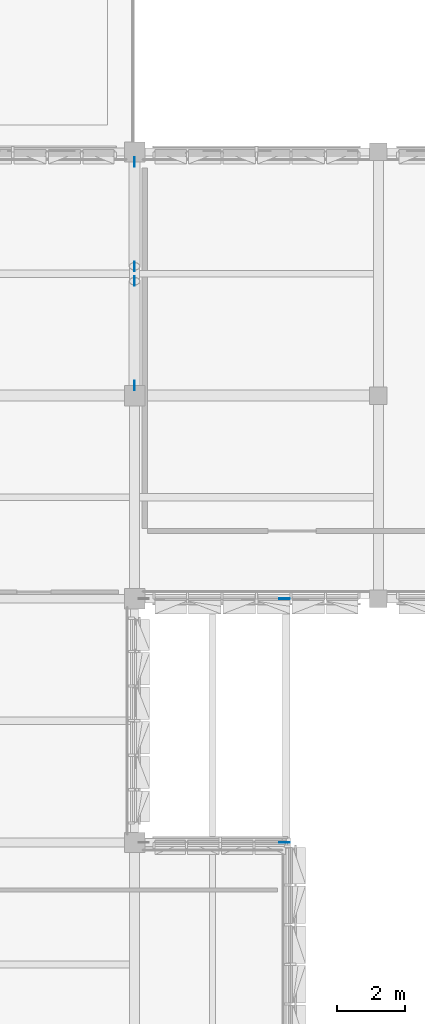
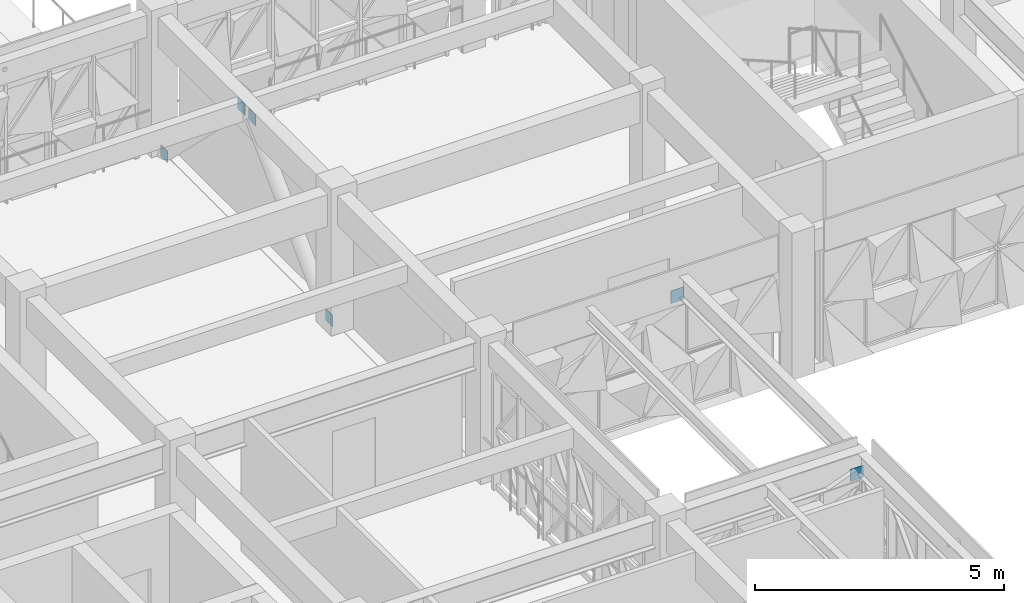
# One storey, part 49 of 99: 6 plates.
"""IFC4 building model written with IfcOpenShell, lengths in metres."""

from ifc_helpers import new_model, si_unit, direction, frame, origin, place, context, subcontext, project, spatial, polyline, outline, extrude, material, layer, layer_set, type_object, element, save


model = new_model("IFC4")

# Units and contexts
model_context = context("Model", 3, precision=1e-05, world=origin(), true_north=direction((0.0, 1.0)))
body_context = subcontext(model_context, "Body", "Model", "MODEL_VIEW")
ifc_project = project(units=[si_unit("LENGTHUNIT", "METRE"), si_unit("AREAUNIT", "SQUARE_METRE"), si_unit("VOLUMEUNIT", "CUBIC_METRE"), si_unit("PLANEANGLEUNIT", "RADIAN"), si_unit("MASSUNIT", "GRAM", prefix="KILO")], contexts=[model_context])

# Site, building, storey
site_placement = place(None, origin())
site = spatial("IfcSite", under=ifc_project, at=site_placement, CompositionType="ELEMENT")
building_placement = place(site_placement, origin())
building = spatial("IfcBuilding", under=site, at=building_placement, Name="Alvorim Cloister Faculty of Sciences", CompositionType="ELEMENT")
storey_placement = place(building_placement, frame((0.0, 0.0, 12.14990234375)))
storey = spatial("IfcBuildingStorey", under=building, at=storey_placement, Name="L03", CompositionType="ELEMENT", Elevation=12.14990234375)

# Plates
ifc_material = material(Name="Steel ASTM A572 Grade 50", Category="steel")
ifc_layer_1 = layer(ifc_material, 0.01611328125)
ifc_layer_set_1 = layer_set([ifc_layer_1], Name="Steel ASTM A572 Grade 50")
plate_type_1 = type_object("IfcPlateType", Name="PL-CAP-16", PredefinedType="SHEET", material=ifc_layer_set_1)
for number, where, z_axis, x_axis, name in (
    (1, (28.800048828125, 49.354248046875, -0.1455078125), (0.0, 0.0, 1.0), (0.0, 1.0, 0.0), "Hollow Steel End Plate ND-06"),
    (2, (28.800048828125, 52.44580078125, 2.895751953125), (0.0, 0.0, 1.0), (0.0, 1.0, 0.0), "Hollow Steel End Plate ND-06"),
    (3, (28.800048828125, 56.24560546875, -0.1455078125), (0.0, 0.0, 1.0), (0.0, -1.0, 0.0), "Hollow Steel End Plate ND-06"),
    (4, (28.800048828125, 53.154296875, 2.895751953125), (0.0, 0.0, 1.0), (0.0, -1.0, 0.0), "Hollow Steel End Plate ND-06"),
):
    element("IfcPlate", number, at=place(storey_placement, frame(where, z_axis=z_axis, x_axis=x_axis)), inside=storey, type_object=plate_type_1, Name=name, PredefinedType="SHEET", context=body_context, shape_type="SweptSolid", body=[
        extrude(outline(polyline([(0.0, 0.0), (0.280029296875, 0.0), (0.280029296875, 0.280029296875), (0.0, 0.280029296875), (0.0, 0.0)])), frame((0.0, 0.008056640625, 0.0), z_axis=(0.0, -1.0, 0.0), x_axis=(1.0, 0.0, 0.0)), (0.0, 0.0, 1.0), 0.01611328125),
    ])
ifc_layer_2 = layer(ifc_material, 0.02001953125)
ifc_layer_set_2 = layer_set([ifc_layer_2], Name="Steel ASTM A572 Grade 50")
plate_type_2 = type_object("IfcPlateType", Name="PL-GUS-20", PredefinedType="SHEET", material=ifc_layer_set_2)
for number, where, z_axis, x_axis, name in (
    (5, (33.079345703125, 36.0, 2.66357421875), (0.0, 0.0, 1.0), (1.0, 0.0, 0.0), "Hollow Steel End Plate ND-04"),
    (6, (33.079345703125, 43.199951171875, 2.66357421875), (0.0, 0.0, 1.0), (1.0, 0.0, 0.0), "Hollow Steel End Plate ND-04"),
):
    element("IfcPlate", number, at=place(storey_placement, frame(where, z_axis=z_axis, x_axis=x_axis)), inside=storey, type_object=plate_type_2, Name=name, PredefinedType="SHEET", context=body_context, shape_type="SweptSolid", body=[
        extrude(outline(polyline([(0.0, 0.0), (0.300048828125, 0.0), (0.300048828125, 0.300048828125), (0.0, 0.300048828125), (0.0, 0.0)])), frame((0.0, 0.010009765625, 0.0), z_axis=(0.0, -1.0, 0.0), x_axis=(1.0, 0.0, 0.0)), (0.0, 0.0, 1.0), 0.02001953125),
    ])

save(model, "model.ifc")
